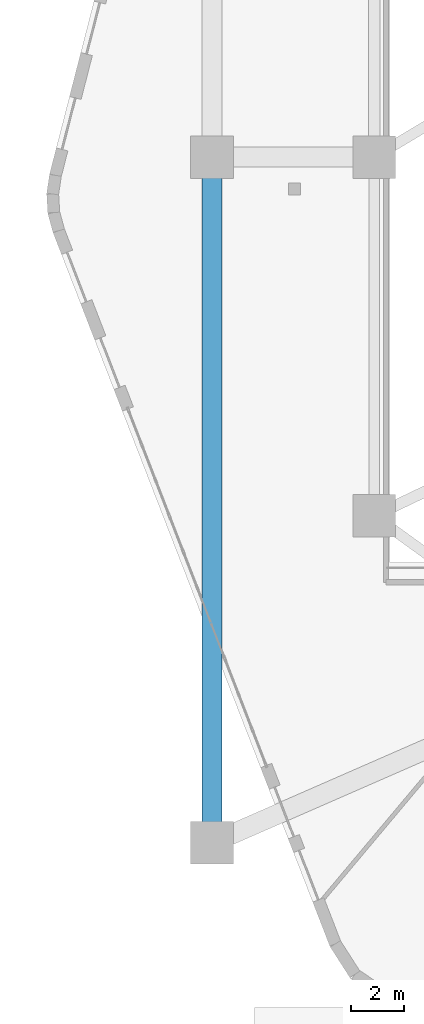
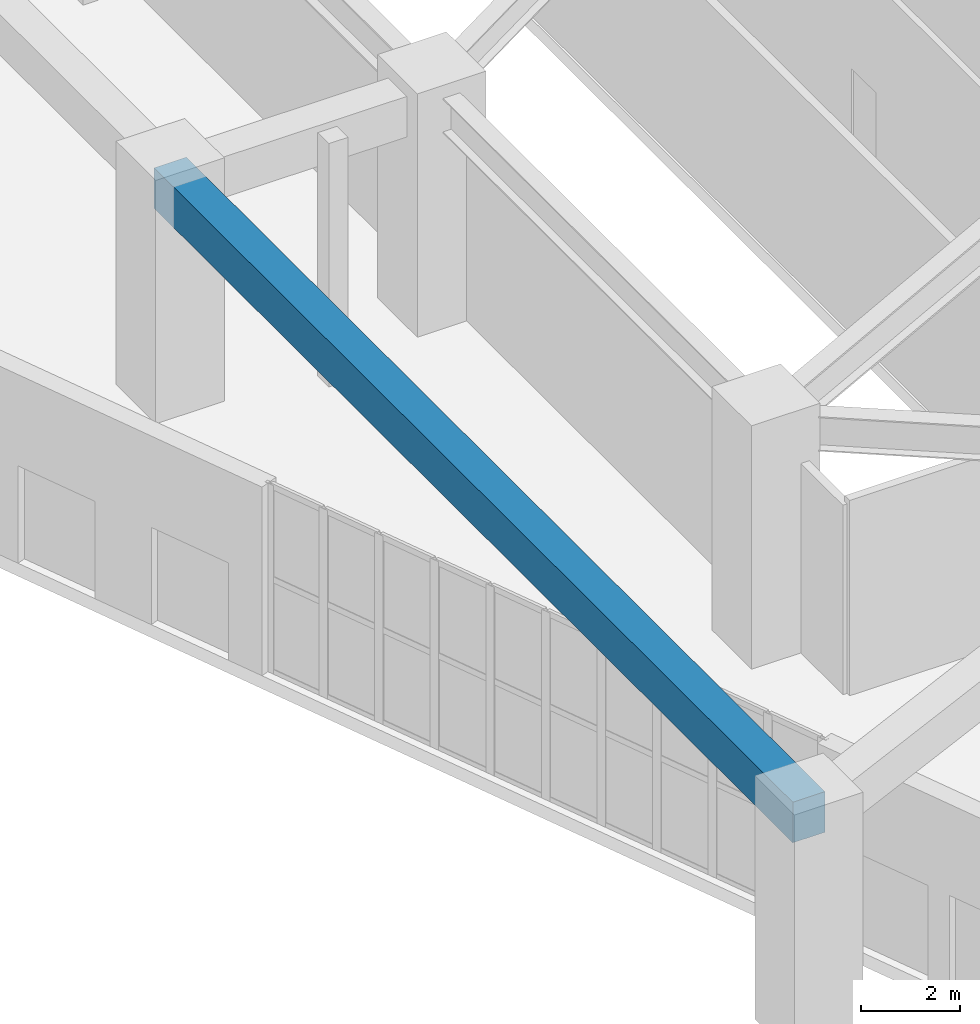
# One storey, part 6 of 35: 1 beam.
"""IFC4 building model written with IfcOpenShell, lengths in metres."""

import ifcopenshell
import ifcopenshell.guid

model = None  # the IFC model being written
_history = None  # IfcOwnerHistory: only IFC2X3 demands one
_inside = {}  # id of a spatial element -> (the spatial element, [elements in it])
_under = {}  # id of a project, library or spatial element -> (it, [spatial elements below it])
_declared = {}  # id of a project -> (the project, [libraries it declares])
_typed = {}  # id of a type object -> (the type object, [elements of that type])
_made_of = {}  # id of a material, layer set ... -> (it, [elements and type objects made of it])


def new_model(schema):
    """Start an empty IFC model of exactly this schema.

    Asked for "IFC4X3", IfcOpenShell would pick the latest addendum, in which some entities
    have other attributes; the version numbers below select the first issue.
    IFC2X3 requires an IfcOwnerHistory on every rooted entity: one is made here for all.
    """
    global model, _history
    if schema == "IFC4X3":
        model = ifcopenshell.file(schema_version=(4, 3, 0, 0))
    else:
        model = ifcopenshell.file(schema=schema)
    _inside.clear()
    _under.clear()
    _declared.clear()
    _typed.clear()
    _made_of.clear()
    _history = None
    if model.schema == "IFC2X3":
        org = make("IfcOrganization", Name="unknown")
        user = make(
            "IfcPersonAndOrganization",
            ThePerson=make("IfcPerson", FamilyName="unknown"),
            TheOrganization=org,
        )
        app = make(
            "IfcApplication",
            ApplicationDeveloper=org,
            Version="unknown",
            ApplicationFullName="unknown",
            ApplicationIdentifier="unknown",
        )
        _history = make(
            "IfcOwnerHistory",
            OwningUser=user,
            OwningApplication=app,
            ChangeAction="ADDED",
            CreationDate=0,
        )
    return model


def make(cls, **values):
    """One entity of the class cls with the attributes given. An attribute that is None is left unset."""
    return model.create_entity(
        cls, **{name: value for name, value in values.items() if value is not None}
    )


def rooted(cls, **values):
    """An entity with a GlobalId (a new one), such as an element, a storey or a relation."""
    return make(cls, GlobalId=ifcopenshell.guid.new(), OwnerHistory=_history, **values)


def si_unit(unit_type, name, prefix=None):
    """IfcSIUnit, for example si_unit("LENGTHUNIT", "METRE", prefix="MILLI")."""
    return make("IfcSIUnit", UnitType=unit_type, Prefix=prefix, Name=name)


def assignment(units):
    """IfcUnitAssignment: the units of a project."""
    return None if units is None else make("IfcUnitAssignment", Units=units)


def point(xyz):
    """IfcCartesianPoint."""
    return None if xyz is None else make("IfcCartesianPoint", Coordinates=xyz)


def direction(xyz):
    """IfcDirection."""
    return None if xyz is None else make("IfcDirection", DirectionRatios=xyz)


def frame(location, z_axis=None, x_axis=None):
    """IfcAxis2Placement3D, a coordinate frame: its origin and axes. An axis left out is left unset."""
    return make(
        "IfcAxis2Placement3D",
        Location=point(location),
        Axis=direction(z_axis),
        RefDirection=direction(x_axis),
    )


def frame_2d(location, x_axis=None):
    """IfcAxis2Placement2D, a coordinate frame in the plane: its origin and x axis."""
    return make(
        "IfcAxis2Placement2D", Location=point(location), RefDirection=direction(x_axis)
    )


def origin():
    """The frame at (0, 0, 0) with its axes left unset."""
    return frame((0.0, 0.0, 0.0))


def origin_2d():
    """The frame at (0, 0) in the plane with its x axis left unset."""
    return frame_2d((0.0, 0.0))


def place(relative_to, where):
    """IfcLocalPlacement: puts the frame where relative to a parent placement (None: the world)."""
    return make(
        "IfcLocalPlacement", PlacementRelTo=relative_to, RelativePlacement=where
    )


def context(
    kind, dimensions, precision=None, world=None, true_north=None, identifier=None
):
    """IfcGeometricRepresentationContext, for example the 3D "Model" context."""
    return make(
        "IfcGeometricRepresentationContext",
        ContextIdentifier=identifier,
        ContextType=kind,
        CoordinateSpaceDimension=dimensions,
        Precision=precision,
        WorldCoordinateSystem=world,
        TrueNorth=true_north,
    )


def subcontext(parent, identifier, kind, view, scale=None):
    """IfcGeometricRepresentationSubContext, for example "Body" below "Model"."""
    return make(
        "IfcGeometricRepresentationSubContext",
        ContextIdentifier=identifier,
        ContextType=kind,
        ParentContext=parent,
        TargetScale=scale,
        TargetView=view,
    )


def project(units=None, contexts=None):
    """IfcProject with its units and contexts."""
    return rooted(
        "IfcProject",
        Name="project",
        RepresentationContexts=contexts,
        UnitsInContext=assignment(units),
    )


def spatial(cls, under=None, at=None, **own):
    """A site, building, storey or space (cls), placed at a placement, below another one or the project."""
    s = rooted(cls, ObjectPlacement=at, **own)
    if under is not None:
        _under.setdefault(under.id(), (under, []))[1].append(s)
    return s


def profile(cls, at=None, kind="AREA", **sizes):
    """A parametric profile (cls). Its sizes go by their IFC names, for example OverallWidth=200.0."""
    return make(cls, ProfileType=kind, Position=at, **sizes)


def rectangle(**sizes):
    """IfcRectangleProfileDef."""
    return profile("IfcRectangleProfileDef", **sizes)


def extrude(swept, where, along, depth):
    """IfcExtrudedAreaSolid: the profile swept, set in the frame where, extruded along a direction by depth."""
    return make(
        "IfcExtrudedAreaSolid",
        SweptArea=swept,
        Position=where,
        ExtrudedDirection=direction(along),
        Depth=depth,
    )


def shape(context_of_items, identifier, shape_type, items):
    """IfcShapeRepresentation: the items that make up one representation, for example the "Body"."""
    return make(
        "IfcShapeRepresentation",
        ContextOfItems=context_of_items,
        RepresentationIdentifier=identifier,
        RepresentationType=shape_type,
        Items=items,
    )


def material(Name=None, Category=None):
    """IfcMaterial."""
    return make("IfcMaterial", Name=Name, Category=Category)


def material_profile(
    of_material, cross_section, Name=None, Category=None, Priority=None
):
    """IfcMaterialProfile: a cross section and its material."""
    return make(
        "IfcMaterialProfile",
        Name=Name,
        Material=of_material,
        Profile=cross_section,
        Priority=Priority,
        Category=Category,
    )


def profile_set(profiles, Name=None, composite=None):
    """IfcMaterialProfileSet."""
    return make(
        "IfcMaterialProfileSet",
        Name=Name,
        MaterialProfiles=profiles,
        CompositeProfile=composite,
    )


def made_of(thing, what):
    """Note that an element or type object is made of a material, layer set ...; save() writes the relation."""
    if what is not None:
        _made_of.setdefault(what.id(), (what, []))[1].append(thing)
    return thing


def type_object(cls, material=None, **own):
    """A type object (cls), such as IfcWallType, which elements share."""
    return made_of(rooted(cls, **own), material)


def element(
    cls,
    number,
    at=None,
    inside=None,
    cuts=None,
    type_object=None,
    material=None,
    context=None,
    identifier="Body",
    shape_type=None,
    held_by="IfcProductDefinitionShape",
    body=None,
    shapes=None,
    **own,
):
    """One element of the class cls, such as IfcWall. Its Tag is "e" and its number.

    at: its placement. inside: the storey or other place that contains it. cuts: it is an
    opening in that element (IfcRelVoidsElement). A single representation is given by context,
    identifier, shape_type and body (its items); several are given by shapes. held_by: the class
    of the entity that holds the representations. save() writes the other relations.
    """
    e = rooted(cls, Tag="e%d" % number, ObjectPlacement=at, **own)
    if body is not None:
        shapes = [shape(context, identifier, shape_type, body)]
    if shapes is not None:
        e.Representation = make(held_by, Representations=shapes)
    if inside is not None:
        _inside.setdefault(inside.id(), (inside, []))[1].append(e)
    if cuts is not None:
        rooted(
            "IfcRelVoidsElement", RelatingBuildingElement=cuts, RelatedOpeningElement=e
        )
    if type_object is not None:
        _typed.setdefault(type_object.id(), (type_object, []))[1].append(e)
    return made_of(e, material)


def aggregate(whole, parts):
    """IfcRelAggregates: a whole, such as a stair, and the parts it consists of."""
    return rooted("IfcRelAggregates", RelatingObject=whole, RelatedObjects=parts)


def save(model, path):
    """Write the relations noted so far, then the file.

    IfcRelAggregates (storeys below a building ...), IfcRelContainedInSpatialStructure (elements
    in a storey), IfcRelDefinesByType, IfcRelAssociatesMaterial and IfcRelDeclares: one each for
    every whole, place, type object, material and project.
    """
    for whole, parts in _under.values():
        aggregate(whole, parts)
    for where, things in _inside.values():
        rooted(
            "IfcRelContainedInSpatialStructure",
            RelatedElements=things,
            RelatingStructure=where,
        )
    for kind, things in _typed.values():
        rooted("IfcRelDefinesByType", RelatedObjects=things, RelatingType=kind)
    for what, things in _made_of.values():
        rooted("IfcRelAssociatesMaterial", RelatedObjects=things, RelatingMaterial=what)
    for by, libraries in _declared.values():
        rooted("IfcRelDeclares", RelatingContext=by, RelatedDefinitions=libraries)
    model.write(path)


model = new_model("IFC4")

# Units and contexts
model_context = context("Model", 3, precision=1e-05, world=origin(), true_north=direction((0.0, 1.0)))
body_context = subcontext(model_context, "Body", "Model", "MODEL_VIEW")
ifc_project = project(units=[si_unit("LENGTHUNIT", "METRE"), si_unit("AREAUNIT", "SQUARE_METRE"), si_unit("VOLUMEUNIT", "CUBIC_METRE"), si_unit("PLANEANGLEUNIT", "RADIAN"), si_unit("MASSUNIT", "GRAM", prefix="KILO")], contexts=[model_context])

# Site, building, storey
site_placement = place(None, origin())
site = spatial("IfcSite", under=ifc_project, at=site_placement, CompositionType="ELEMENT")
building_placement = place(site_placement, origin())
building = spatial("IfcBuilding", under=site, at=building_placement, Name="Kilnhurst Terrace Hotel", CompositionType="ELEMENT")
storey_placement = place(building_placement, origin())
storey = spatial("IfcBuildingStorey", under=building, at=storey_placement, Name="L00", CompositionType="ELEMENT", Elevation=0.0)

# Beam
ifc_material = material(Name="Concrete C50/60", Category="concrete")
ifc_material_profile = material_profile(ifc_material, rectangle(XDim=0.75, YDim=1.0, at=origin_2d()), Name="RC750X1000")
ifc_profile_set = profile_set([ifc_material_profile], Name="Concrete C50/60")
beam_type = type_object("IfcBeamType", Name="TBM-GAR-750X1000", PredefinedType="T_BEAM", material=ifc_profile_set)
beam_placement = place(storey_placement, frame((-27.60009765625, -25.800048828125, 5.179931640625), z_axis=(0.0, 1.0, 0.0), x_axis=(-1.0, 0.0, 0.0)))
element("IfcBeam", 1, at=beam_placement, inside=storey, type_object=beam_type, Name="L00 Outer Ring Tee Beam 1", PredefinedType="T_BEAM", context=body_context, shape_type="SweptSolid", body=[
    extrude(rectangle(XDim=0.75, YDim=1.0, at=origin_2d()), origin(), (0.0, 0.0, 1.0), 25.800048828125),
])

save(model, "model.ifc")
